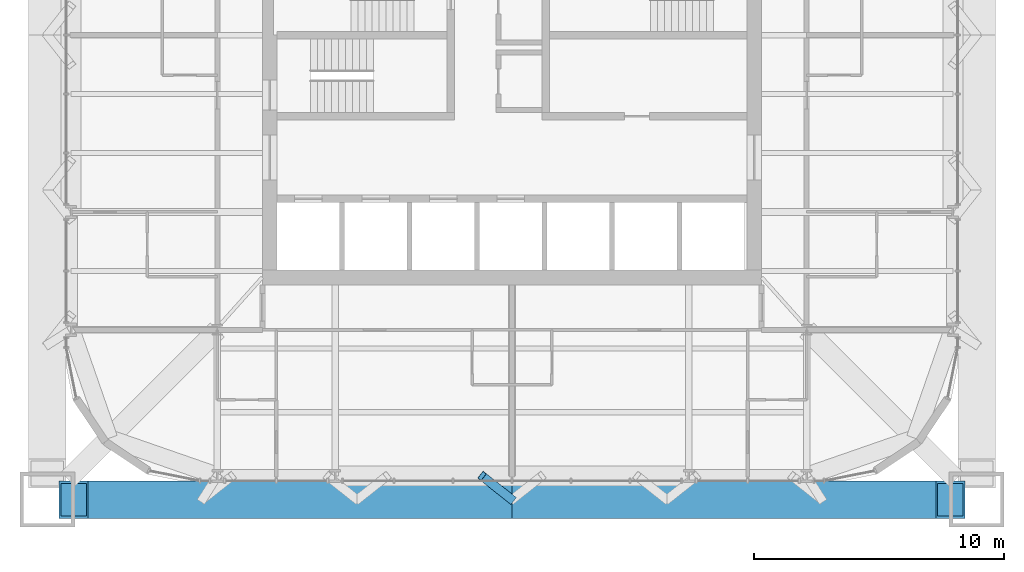
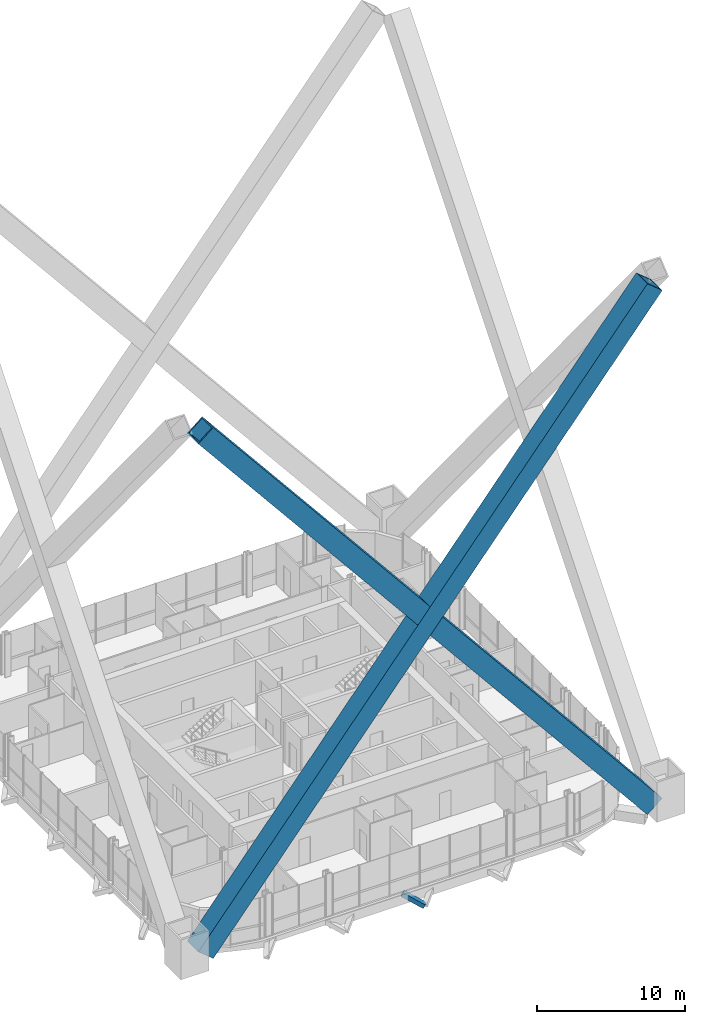
# One storey, part 3 of 23: 2 members, 1 beam.
"""IFC4 building model written with IfcOpenShell, lengths in metres."""

from ifc_helpers import new_model, si_unit, direction, frame, origin, origin_2d, place, context, subcontext, project, spatial, hollow_rectangle, extrude, material, material_profile, profile_set, type_object, element, save


model = new_model("IFC4")

# Units and contexts
model_context = context("Model", 3, precision=1e-05, world=origin(), true_north=direction((0.0, 1.0)))
body_context = subcontext(model_context, "Body", "Model", "MODEL_VIEW")
ifc_project = project(units=[si_unit("LENGTHUNIT", "METRE"), si_unit("AREAUNIT", "SQUARE_METRE"), si_unit("VOLUMEUNIT", "CUBIC_METRE"), si_unit("PLANEANGLEUNIT", "RADIAN"), si_unit("MASSUNIT", "GRAM", prefix="KILO")], contexts=[model_context])

# Site, building, storey
site_placement = place(None, origin())
site = spatial("IfcSite", under=ifc_project, at=site_placement, CompositionType="ELEMENT")
building_placement = place(site_placement, origin())
building = spatial("IfcBuilding", under=site, at=building_placement, Name="Turquesa Mirador Hotel Tower", CompositionType="ELEMENT")
storey_placement = place(building_placement, frame((0.0, 0.0, 226.699951171875)))
storey = spatial("IfcBuildingStorey", under=building, at=storey_placement, Name="L61", CompositionType="ELEMENT", Elevation=226.699951171875)

# Beam
ifc_material_1 = material(Name="Steel ASTM A500 Grade C", Category="steel")
ifc_material_profile_1 = material_profile(ifc_material_1, hollow_rectangle(XDim=0.355712890625, YDim=0.355712890625, WallThickness=0.0146484375, at=origin_2d()), Name="HSS14X14X5/8")
ifc_profile_set_1 = profile_set([ifc_material_profile_1], Name="Steel ASTM A500 Grade C")
beam_type = type_object("IfcBeamType", Name="BRACE STRUT HSS14X14X5/8", PredefinedType="BEAM", material=ifc_profile_set_1)
beam_placement = place(storey_placement, frame((55.0, 26.39990234375, -1.199951171875), z_axis=(-0.684941954003, 0.542379264492, 0.486496919924), x_axis=(-0.620796907089, -0.783971428146, 0.0)))
element("IfcBeam", 1, at=beam_placement, inside=storey, type_object=beam_type, Name="Brace strut", PredefinedType="BEAM", context=body_context, shape_type="SweptSolid", body=[
    extrude(hollow_rectangle(XDim=0.355712890625, YDim=0.355712890625, WallThickness=0.0146484375, at=origin_2d()), origin(), (0.0, 0.0, 1.0), 1.751953125),
])

# Members
ifc_material_2 = material(Name="Steel ASTM A572 Grade 50", Category="steel")
ifc_material_profile_2 = material_profile(ifc_material_2, hollow_rectangle(XDim=1.5, YDim=1.5, WallThickness=0.10009765625, at=origin_2d()), Name="BOX1500X1500X100")
ifc_profile_set_2 = profile_set([ifc_material_profile_2], Name="Steel ASTM A572 Grade 50")
member_type = type_object("IfcMemberType", Name="MEGA BRACE BOX1500X1500X100", PredefinedType="BRACE", material=ifc_profile_set_2)
for number, where, z_axis, x_axis, name in (
    (2, (37.449951171875, 26.39990234375, 1.284423828125), (0.632961323464, 0.0, 0.774183416897), (0.0, 1.0, 0.0), "Mega brace Z4 S 1"),
    (3, (72.550048828125, 26.39990234375, 1.284423828125), (-0.632961323464, 0.0, 0.774183416897), (0.0, -1.0, 0.0), "Mega brace Z4 S 2"),
):
    element("IfcMember", number, at=place(storey_placement, frame(where, z_axis=z_axis, x_axis=x_axis)), inside=storey, type_object=member_type, Name=name, PredefinedType="BRACE", context=body_context, shape_type="SweptSolid", body=[
        extrude(hollow_rectangle(XDim=1.5, YDim=1.5, WallThickness=0.10009765625, at=origin_2d()), origin(), (0.0, 0.0, 1.0), 55.453857421875),
    ])

save(model, "model.ifc")
